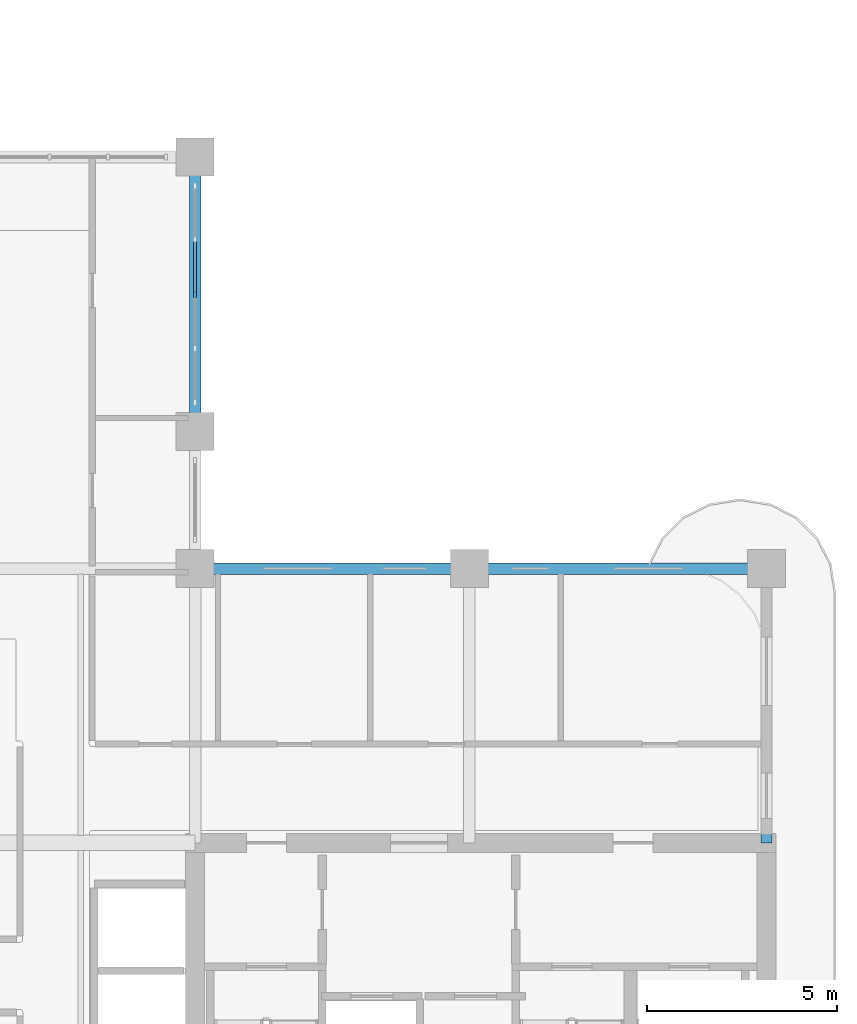
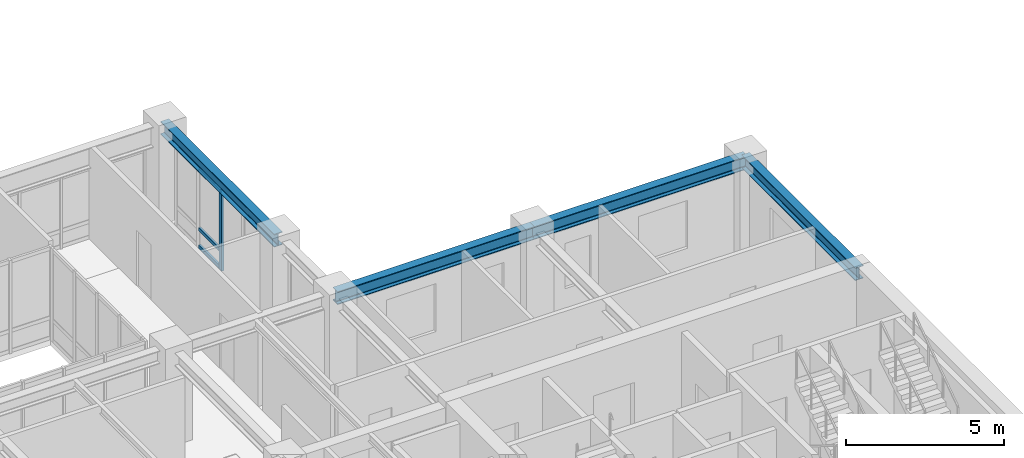
# One storey, part 4 of 19: 4 beams, 4 members, 1 element without a shape of its own.
"""IFC4 building model written with IfcOpenShell, lengths in metres."""

from ifc_helpers import new_model, si_unit, derived_unit, direction, frame, origin, origin_2d, place, context, subcontext, project, spatial, rectangle, i_section, extrude, source, transform, mapped, material, layer, layer_set, material_profile, profile_set, type_object, type_shapes, element, aggregate, save


model = new_model("IFC4")

# Units and contexts
model_context = context("Model", 3, precision=1e-05, world=origin(), true_north=direction((0.0, 1.0)))
body_context = subcontext(model_context, "Body", "Model", "MODEL_VIEW")
ifc_project = project(units=[si_unit("LENGTHUNIT", "METRE"), si_unit("AREAUNIT", "SQUARE_METRE"), si_unit("VOLUMEUNIT", "CUBIC_METRE"), si_unit("PLANEANGLEUNIT", "RADIAN"), si_unit("MASSUNIT", "GRAM", prefix="KILO"), si_unit("THERMODYNAMICTEMPERATUREUNIT", "KELVIN"), si_unit("POWERUNIT", "WATT"), derived_unit("THERMALTRANSMITTANCEUNIT", [(si_unit("POWERUNIT", "WATT"), 1), (si_unit("AREAUNIT", "SQUARE_METRE"), -1), (si_unit("THERMODYNAMICTEMPERATUREUNIT", "KELVIN"), -1)])], contexts=[model_context])

# Site, building, storey
site_placement = place(None, origin())
site = spatial("IfcSite", under=ifc_project, at=site_placement, CompositionType="ELEMENT")
building_placement = place(site_placement, origin())
building = spatial("IfcBuilding", under=site, at=building_placement, Name="Zahravan Archway Hotel and Residences", CompositionType="ELEMENT")
storey_placement = place(building_placement, frame((0.0, 0.0, 150.300048828125)))
storey = spatial("IfcBuildingStorey", under=building, at=storey_placement, Name="L37", CompositionType="ELEMENT", Elevation=150.300048828125)

# Beams
ifc_material_1 = material(Name="Structural Steel S355JR", Category="steel")
ifc_material_profile_1 = material_profile(ifc_material_1, i_section(OverallWidth=0.300048828125, OverallDepth=0.5, WebThickness=0.014404296875, FlangeThickness=0.028076171875, FilletRadius=0.027099609375, at=origin_2d()), Name="HEB 500", Category="steel")
ifc_profile_set_1 = profile_set([ifc_material_profile_1], Name="Structural Steel S355JR")
beam_type = type_object("IfcBeamType", Name="BM-PRI-HEB500", PredefinedType="BEAM", material=ifc_profile_set_1)
shared_shape_1 = source(origin(), body_context, "Body", "SweptSolid", [
    extrude(i_section(OverallWidth=0.300048828125, OverallDepth=0.5, WebThickness=0.014404296875, FlangeThickness=0.028076171875, FilletRadius=0.027099609375, at=origin_2d()), origin(), (0.0, 0.0, 1.0), 7.2001953125),
])
type_shapes(beam_type, [shared_shape_1])
beam_1_placement = place(storey_placement, frame((49.800048828125, 14.39990234375, 3.349853515625), z_axis=(0.0, 1.0, 0.0), x_axis=(-1.0, 0.0, 0.0)))
element("IfcBeam", 1, at=beam_1_placement, inside=storey, type_object=beam_type, Name="L37 Primary Girder NS-45", PredefinedType="BEAM", context=body_context, shape_type="MappedRepresentation", body=[
    mapped(shared_shape_1, transform((0.0, 0.0, 0.0), scale=1.0)),
])
shared_shape_2 = source(origin(), body_context, "Body", "SweptSolid", [
    extrude(i_section(OverallWidth=0.300048828125, OverallDepth=0.5, WebThickness=0.014404296875, FlangeThickness=0.028076171875, FilletRadius=0.027099609375, at=origin_2d()), origin(), (0.0, 0.0, 1.0), 7.199951171875),
])
for number, where, z_axis, x_axis, name in (
    (2, (34.800048828125, 21.60009765625, 3.349853515625), (1.0, 0.0, 0.0), (0.0, 1.0, 0.0), "L37 Primary Girder EW-14"),
    (3, (34.800048828125, 25.199951171875, 3.349853515625), (0.0, 1.0, 0.0), (-1.0, 0.0, 0.0), "L37 Primary Girder NS-43"),
):
    element("IfcBeam", number, at=place(storey_placement, frame(where, z_axis=z_axis, x_axis=x_axis)), inside=storey, type_object=beam_type, Name=name, PredefinedType="BEAM", context=body_context, shape_type="MappedRepresentation", body=[
        mapped(shared_shape_2, transform((0.0, 0.0, 0.0), scale=1.0)),
    ])
shared_shape_3 = source(origin(), body_context, "Body", "SweptSolid", [
    extrude(i_section(OverallWidth=0.300048828125, OverallDepth=0.5, WebThickness=0.014404296875, FlangeThickness=0.028076171875, FilletRadius=0.027099609375, at=origin_2d()), origin(), (0.0, 0.0, 1.0), 7.800048828125),
])
beam_2_placement = place(storey_placement, frame((42.0, 21.60009765625, 3.349853515625), z_axis=(1.0, 0.0, 0.0), x_axis=(0.0, 1.0, 0.0)))
element("IfcBeam", 4, at=beam_2_placement, inside=storey, type_object=beam_type, Name="L37 Primary Girder EW-15", PredefinedType="BEAM", context=body_context, shape_type="MappedRepresentation", body=[
    mapped(shared_shape_3, transform((0.0, 0.0, 0.0), scale=1.0)),
])

# Curtain wall, members
ifc_material_2 = material(Name="Bronze-Anodized Unitised Aluminium & Low-E Glass", Category="aluminium")
ifc_layer = layer(ifc_material_2, 0.179931640625, Name="Bronze-Anodized Unitised Aluminium & Low-E Glass", Category="aluminium")
ifc_layer_set = layer_set([ifc_layer], Name="Bronze-Anodized Unitised Aluminium & Low-E Glass")
curtain_wall_type = type_object("IfcCurtainWallType", Name="CW-ATR-GLAZ", PredefinedType="NOTDEFINED", material=ifc_layer_set)
curtain_wall_placement = place(storey_placement, origin())
curtain_wall = element("IfcCurtainWall", 5, at=curtain_wall_placement, inside=storey, type_object=curtain_wall_type, Name="L37 Curtain Wall CW-L37-HNG-E-2", PredefinedType="NOTDEFINED")
ifc_material_3 = material(Name="Bronze-Anodized Extruded Aluminium", Category="aluminium")
ifc_material_profile_2 = material_profile(ifc_material_3, rectangle(XDim=0.080078125, YDim=0.139892578125, at=origin_2d()), Name="TRN 80x140", Category="aluminium")
ifc_profile_set_2 = profile_set([ifc_material_profile_2], Name="Bronze-Anodized Extruded Aluminium")
member_type_1 = type_object("IfcMemberType", Name="CWM-TRN-140", PredefinedType="USERDEFINED", material=ifc_profile_set_2)
shared_shape_4 = source(origin(), body_context, "Body", "SweptSolid", [
    extrude(rectangle(XDim=0.080078125, YDim=0.139892578125, at=origin_2d()), origin(), (0.0, 0.0, 1.0), 1.33984375),
])
member_1_placement = place(storey_placement, frame((34.800048828125, 28.840087890625, 0.070068359375), z_axis=(0.0, 1.0, 0.0), x_axis=(-1.0, 0.0, 0.0)))
member_1 = element("IfcMember", 6, at=member_1_placement, type_object=member_type_1, Name="CW-L37-HNG-E-2 Transom 2-1", ObjectType="TRANSOM", PredefinedType="USERDEFINED", context=body_context, shape_type="MappedRepresentation", body=[
    mapped(shared_shape_4, transform((0.0, 0.0, 0.0), scale=1.0)),
])
member_2_placement = place(storey_placement, frame((34.800048828125, 28.840087890625, 0.740234375), z_axis=(0.0, 1.0, 0.0), x_axis=(-1.0, 0.0, 0.0)))
member_2 = element("IfcMember", 7, at=member_2_placement, type_object=member_type_1, Name="CW-L37-HNG-E-2 Transom 2-2", ObjectType="TRANSOM", PredefinedType="USERDEFINED", context=body_context, shape_type="MappedRepresentation", body=[
    mapped(shared_shape_4, transform((0.0, 0.0, 0.0), scale=1.0)),
])
member_3_placement = place(storey_placement, frame((34.800048828125, 28.840087890625, 3.014892578125), z_axis=(0.0, 1.0, 0.0), x_axis=(-1.0, 0.0, 0.0)))
member_3 = element("IfcMember", 8, at=member_3_placement, type_object=member_type_1, Name="CW-L37-HNG-E-2 Transom 2-3", ObjectType="TRANSOM", PredefinedType="USERDEFINED", context=body_context, shape_type="MappedRepresentation", body=[
    mapped(shared_shape_4, transform((0.0, 0.0, 0.0), scale=1.0)),
])
ifc_material_profile_3 = material_profile(ifc_material_3, rectangle(XDim=0.080078125, YDim=0.159912109375, at=origin_2d()), Name="MUL 80x160", Category="aluminium")
ifc_profile_set_3 = profile_set([ifc_material_profile_3], Name="Bronze-Anodized Extruded Aluminium")
member_type_2 = type_object("IfcMemberType", Name="CWM-MUL-160", PredefinedType="MULLION", material=ifc_profile_set_3)
shared_shape_5 = source(origin(), body_context, "Body", "SweptSolid", [
    extrude(rectangle(XDim=0.080078125, YDim=0.159912109375, at=origin_2d()), origin(), (0.0, 0.0, 1.0), 3.0849609375),
])
member_4_placement = place(storey_placement, frame((34.800048828125, 28.800048828125, 0.0), z_axis=(0.0, 0.0, 1.0), x_axis=(1.0, 0.0, 0.0)))
member_4 = element("IfcMember", 9, at=member_4_placement, type_object=member_type_2, Name="CW-L37-HNG-E-2 Mullion 2", PredefinedType="MULLION", context=body_context, shape_type="MappedRepresentation", body=[
    mapped(shared_shape_5, transform((0.0, 0.0, 0.0), scale=1.0)),
])
aggregate(curtain_wall, [member_4, member_1, member_2, member_3])

save(model, "model.ifc")
